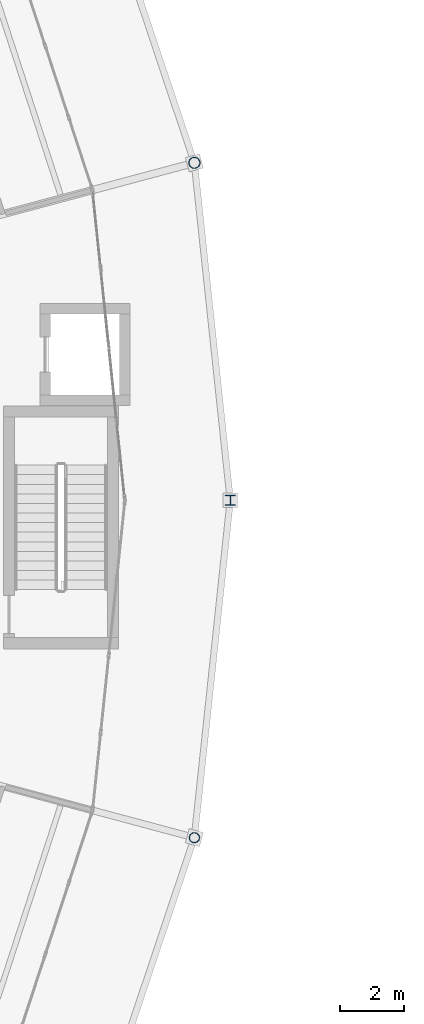
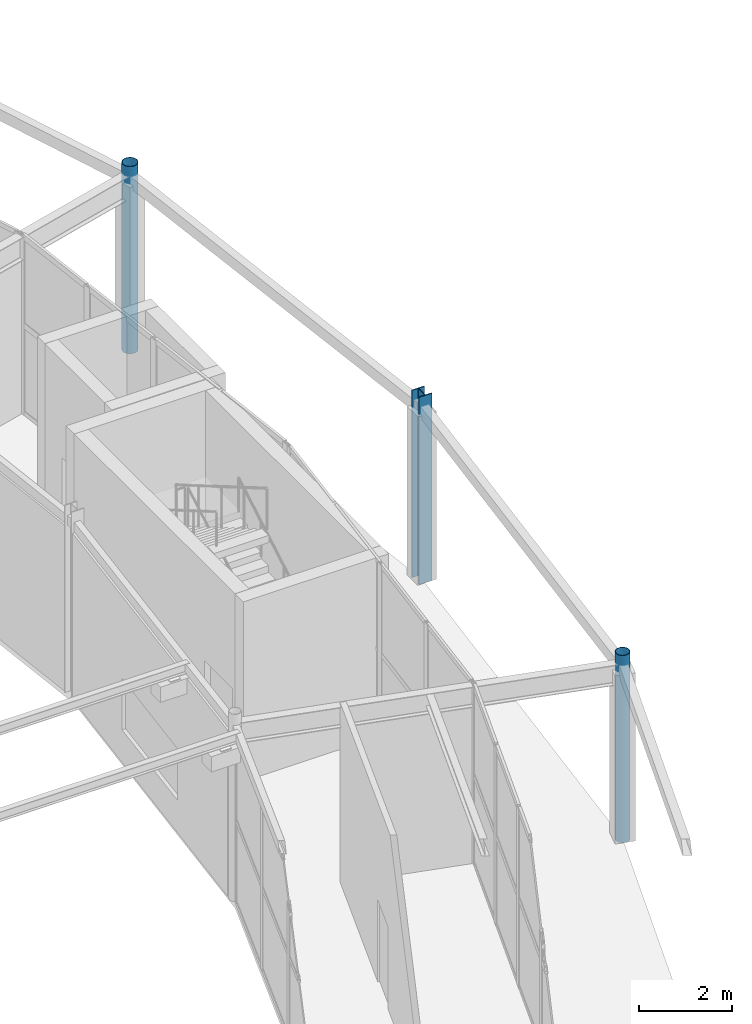
# One storey, part 10 of 144: 3 columns.
"""IFC4 building model written with IfcOpenShell, lengths in metres."""

from ifc_helpers import new_model, si_unit, direction, frame, origin, origin_2d, place, context, subcontext, project, spatial, hollow_circle, i_section, extrude, material, material_profile, profile_set, type_object, element, save


model = new_model("IFC4")

# Units and contexts
model_context = context("Model", 3, precision=1e-05, world=origin(), true_north=direction((0.0, 1.0)))
body_context = subcontext(model_context, "Body", "Model", "MODEL_VIEW")
ifc_project = project(units=[si_unit("LENGTHUNIT", "METRE"), si_unit("AREAUNIT", "SQUARE_METRE"), si_unit("VOLUMEUNIT", "CUBIC_METRE"), si_unit("PLANEANGLEUNIT", "RADIAN"), si_unit("MASSUNIT", "GRAM", prefix="KILO")], contexts=[model_context])

# Site, building, storey
site_placement = place(None, origin())
site = spatial("IfcSite", under=ifc_project, at=site_placement, CompositionType="ELEMENT")
building_placement = place(site_placement, origin())
building = spatial("IfcBuilding", under=site, at=building_placement, Name="Karori Crest Natural Sciences Institute", CompositionType="ELEMENT")
storey_placement = place(building_placement, origin())
storey = spatial("IfcBuildingStorey", under=building, at=storey_placement, Name="L00", CompositionType="ELEMENT", Elevation=0.0)

# Columns
ifc_material_1 = material(Name="Structural steel AS/NZS 3679.1 Grade 350", Category="steel")
ifc_material_profile_1 = material_profile(ifc_material_1, i_section(OverallWidth=0.31103515625, OverallDepth=0.326904296875, WebThickness=0.015625, FlangeThickness=0.02490234375, FilletRadius=0.01708984375, at=origin_2d()), Name="310UC158")
ifc_profile_set_1 = profile_set([ifc_material_profile_1], Name="Structural steel AS/NZS 3679.1 Grade 350")
column_type_1 = type_object("IfcColumnType", Name="CT-04", PredefinedType="COLUMN", material=ifc_profile_set_1)
column_1_placement = place(storey_placement, frame((99.39990234375, 49.89990234375, 0.0), z_axis=(0.0, 0.0, 1.0), x_axis=(1.0, 0.0, 0.0)))
element("IfcColumn", 1, at=column_1_placement, inside=storey, type_object=column_type_1, Name="Column C-0003", PredefinedType="COLUMN", context=body_context, shape_type="SweptSolid", body=[
    extrude(i_section(OverallWidth=0.31103515625, OverallDepth=0.326904296875, WebThickness=0.015625, FlangeThickness=0.02490234375, FilletRadius=0.01708984375, at=origin_2d()), origin(), (0.0, 0.0, 1.0), 4.89990234375),
])
ifc_material_2 = material(Name="Hollow structural steel AS/NZS 1163 Grade C350", Category="steel")
ifc_material_profile_2 = material_profile(ifc_material_2, hollow_circle(Radius=0.177734375, WallThickness=0.0126953125, at=origin_2d()), Name="CHS355.6x12.7")
ifc_profile_set_2 = profile_set([ifc_material_profile_2], Name="Hollow structural steel AS/NZS 1163 Grade C350")
column_type_2 = type_object("IfcColumnType", Name="CT-14", PredefinedType="COLUMN", material=ifc_profile_set_2)
column_2_placement = place(storey_placement, frame((98.275634765625, 60.459716796875, 0.0), z_axis=(0.0, 0.0, 1.0), x_axis=(1.0, 0.0, 0.0)))
element("IfcColumn", 2, at=column_2_placement, inside=storey, type_object=column_type_2, Name="Column C-0021", PredefinedType="COLUMN", context=body_context, shape_type="SweptSolid", body=[
    extrude(hollow_circle(Radius=0.177734375, WallThickness=0.0126953125, at=origin_2d()), origin(), (0.0, 0.0, 1.0), 4.89990234375),
])
ifc_material_profile_3 = material_profile(ifc_material_2, hollow_circle(Radius=0.161865234375, WallThickness=0.0126953125, at=origin_2d()), Name="CHS323.9x12.7")
ifc_profile_set_3 = profile_set([ifc_material_profile_3], Name="Hollow structural steel AS/NZS 1163 Grade C350")
column_type_3 = type_object("IfcColumnType", Name="CT-15", PredefinedType="COLUMN", material=ifc_profile_set_3)
column_3_placement = place(storey_placement, frame((98.275634765625, 39.340087890625, 0.0), z_axis=(0.0, 0.0, 1.0), x_axis=(1.0, 0.0, 0.0)))
element("IfcColumn", 3, at=column_3_placement, inside=storey, type_object=column_type_3, Name="Column C-0381", PredefinedType="COLUMN", context=body_context, shape_type="SweptSolid", body=[
    extrude(hollow_circle(Radius=0.161865234375, WallThickness=0.0126953125, at=origin_2d()), origin(), (0.0, 0.0, 1.0), 4.89990234375),
])

save(model, "model.ifc")
